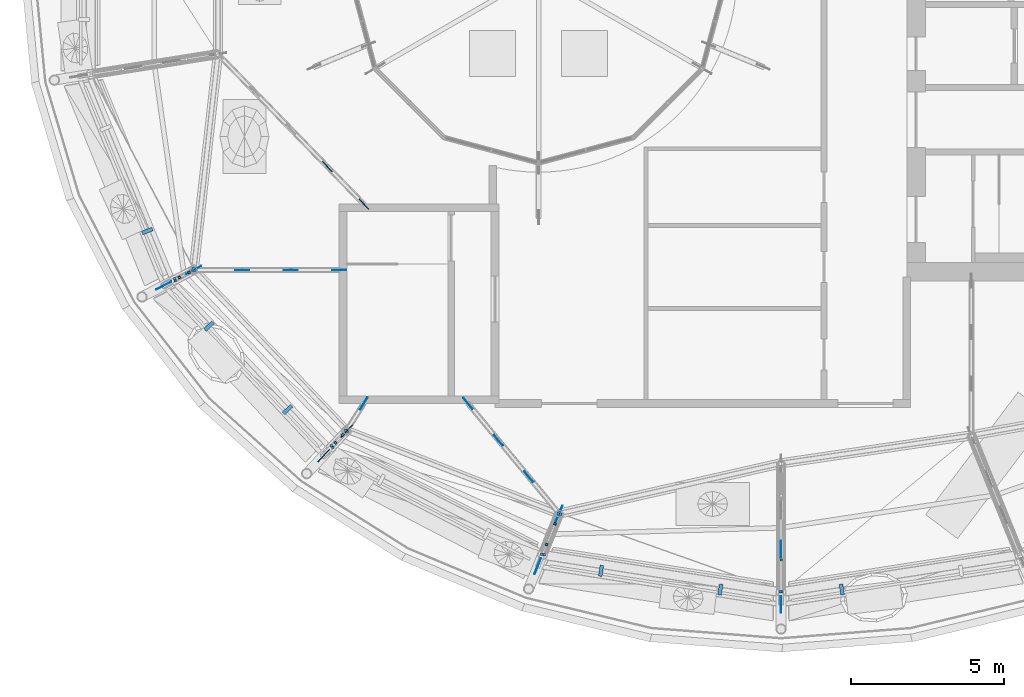
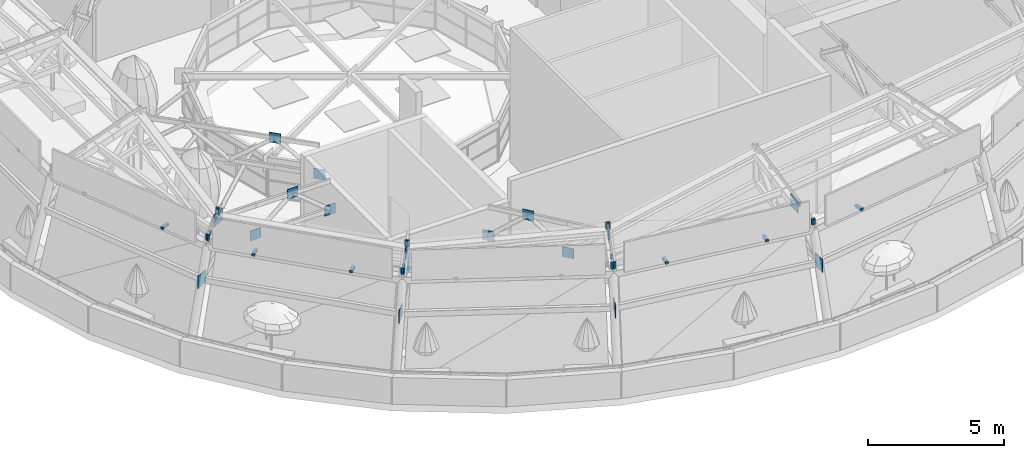
# One storey, part 20 of 40: 44 discrete accessories.
"""IFC4 building model written with IfcOpenShell, lengths in metres."""

import ifcopenshell
import ifcopenshell.guid

model = None  # the IFC model being written
_history = None  # IfcOwnerHistory: only IFC2X3 demands one
_inside = {}  # id of a spatial element -> (the spatial element, [elements in it])
_under = {}  # id of a project, library or spatial element -> (it, [spatial elements below it])
_declared = {}  # id of a project -> (the project, [libraries it declares])
_typed = {}  # id of a type object -> (the type object, [elements of that type])
_made_of = {}  # id of a material, layer set ... -> (it, [elements and type objects made of it])


def new_model(schema):
    """Start an empty IFC model of exactly this schema.

    Asked for "IFC4X3", IfcOpenShell would pick the latest addendum, in which some entities
    have other attributes; the version numbers below select the first issue.
    IFC2X3 requires an IfcOwnerHistory on every rooted entity: one is made here for all.
    """
    global model, _history
    if schema == "IFC4X3":
        model = ifcopenshell.file(schema_version=(4, 3, 0, 0))
    else:
        model = ifcopenshell.file(schema=schema)
    _inside.clear()
    _under.clear()
    _declared.clear()
    _typed.clear()
    _made_of.clear()
    _history = None
    if model.schema == "IFC2X3":
        org = make("IfcOrganization", Name="unknown")
        user = make(
            "IfcPersonAndOrganization",
            ThePerson=make("IfcPerson", FamilyName="unknown"),
            TheOrganization=org,
        )
        app = make(
            "IfcApplication",
            ApplicationDeveloper=org,
            Version="unknown",
            ApplicationFullName="unknown",
            ApplicationIdentifier="unknown",
        )
        _history = make(
            "IfcOwnerHistory",
            OwningUser=user,
            OwningApplication=app,
            ChangeAction="ADDED",
            CreationDate=0,
        )
    return model


def make(cls, **values):
    """One entity of the class cls with the attributes given. An attribute that is None is left unset."""
    return model.create_entity(
        cls, **{name: value for name, value in values.items() if value is not None}
    )


def rooted(cls, **values):
    """An entity with a GlobalId (a new one), such as an element, a storey or a relation."""
    return make(cls, GlobalId=ifcopenshell.guid.new(), OwnerHistory=_history, **values)


def si_unit(unit_type, name, prefix=None):
    """IfcSIUnit, for example si_unit("LENGTHUNIT", "METRE", prefix="MILLI")."""
    return make("IfcSIUnit", UnitType=unit_type, Prefix=prefix, Name=name)


def assignment(units):
    """IfcUnitAssignment: the units of a project."""
    return None if units is None else make("IfcUnitAssignment", Units=units)


def point(xyz):
    """IfcCartesianPoint."""
    return None if xyz is None else make("IfcCartesianPoint", Coordinates=xyz)


def direction(xyz):
    """IfcDirection."""
    return None if xyz is None else make("IfcDirection", DirectionRatios=xyz)


def frame(location, z_axis=None, x_axis=None):
    """IfcAxis2Placement3D, a coordinate frame: its origin and axes. An axis left out is left unset."""
    return make(
        "IfcAxis2Placement3D",
        Location=point(location),
        Axis=direction(z_axis),
        RefDirection=direction(x_axis),
    )


def frame_2d(location, x_axis=None):
    """IfcAxis2Placement2D, a coordinate frame in the plane: its origin and x axis."""
    return make(
        "IfcAxis2Placement2D", Location=point(location), RefDirection=direction(x_axis)
    )


def origin():
    """The frame at (0, 0, 0) with its axes left unset."""
    return frame((0.0, 0.0, 0.0))


def origin_2d():
    """The frame at (0, 0) in the plane with its x axis left unset."""
    return frame_2d((0.0, 0.0))


def place(relative_to, where):
    """IfcLocalPlacement: puts the frame where relative to a parent placement (None: the world)."""
    return make(
        "IfcLocalPlacement", PlacementRelTo=relative_to, RelativePlacement=where
    )


def context(
    kind, dimensions, precision=None, world=None, true_north=None, identifier=None
):
    """IfcGeometricRepresentationContext, for example the 3D "Model" context."""
    return make(
        "IfcGeometricRepresentationContext",
        ContextIdentifier=identifier,
        ContextType=kind,
        CoordinateSpaceDimension=dimensions,
        Precision=precision,
        WorldCoordinateSystem=world,
        TrueNorth=true_north,
    )


def subcontext(parent, identifier, kind, view, scale=None):
    """IfcGeometricRepresentationSubContext, for example "Body" below "Model"."""
    return make(
        "IfcGeometricRepresentationSubContext",
        ContextIdentifier=identifier,
        ContextType=kind,
        ParentContext=parent,
        TargetScale=scale,
        TargetView=view,
    )


def project(units=None, contexts=None):
    """IfcProject with its units and contexts."""
    return rooted(
        "IfcProject",
        Name="project",
        RepresentationContexts=contexts,
        UnitsInContext=assignment(units),
    )


def spatial(cls, under=None, at=None, **own):
    """A site, building, storey or space (cls), placed at a placement, below another one or the project."""
    s = rooted(cls, ObjectPlacement=at, **own)
    if under is not None:
        _under.setdefault(under.id(), (under, []))[1].append(s)
    return s


def profile(cls, at=None, kind="AREA", **sizes):
    """A parametric profile (cls). Its sizes go by their IFC names, for example OverallWidth=200.0."""
    return make(cls, ProfileType=kind, Position=at, **sizes)


def rectangle(**sizes):
    """IfcRectangleProfileDef."""
    return profile("IfcRectangleProfileDef", **sizes)


def extrude(swept, where, along, depth):
    """IfcExtrudedAreaSolid: the profile swept, set in the frame where, extruded along a direction by depth."""
    return make(
        "IfcExtrudedAreaSolid",
        SweptArea=swept,
        Position=where,
        ExtrudedDirection=direction(along),
        Depth=depth,
    )


def shape(context_of_items, identifier, shape_type, items):
    """IfcShapeRepresentation: the items that make up one representation, for example the "Body"."""
    return make(
        "IfcShapeRepresentation",
        ContextOfItems=context_of_items,
        RepresentationIdentifier=identifier,
        RepresentationType=shape_type,
        Items=items,
    )


def material(Name=None, Category=None):
    """IfcMaterial."""
    return make("IfcMaterial", Name=Name, Category=Category)


def made_of(thing, what):
    """Note that an element or type object is made of a material, layer set ...; save() writes the relation."""
    if what is not None:
        _made_of.setdefault(what.id(), (what, []))[1].append(thing)
    return thing


def type_object(cls, material=None, **own):
    """A type object (cls), such as IfcWallType, which elements share."""
    return made_of(rooted(cls, **own), material)


def element(
    cls,
    number,
    at=None,
    inside=None,
    cuts=None,
    type_object=None,
    material=None,
    context=None,
    identifier="Body",
    shape_type=None,
    held_by="IfcProductDefinitionShape",
    body=None,
    shapes=None,
    **own,
):
    """One element of the class cls, such as IfcWall. Its Tag is "e" and its number.

    at: its placement. inside: the storey or other place that contains it. cuts: it is an
    opening in that element (IfcRelVoidsElement). A single representation is given by context,
    identifier, shape_type and body (its items); several are given by shapes. held_by: the class
    of the entity that holds the representations. save() writes the other relations.
    """
    e = rooted(cls, Tag="e%d" % number, ObjectPlacement=at, **own)
    if body is not None:
        shapes = [shape(context, identifier, shape_type, body)]
    if shapes is not None:
        e.Representation = make(held_by, Representations=shapes)
    if inside is not None:
        _inside.setdefault(inside.id(), (inside, []))[1].append(e)
    if cuts is not None:
        rooted(
            "IfcRelVoidsElement", RelatingBuildingElement=cuts, RelatedOpeningElement=e
        )
    if type_object is not None:
        _typed.setdefault(type_object.id(), (type_object, []))[1].append(e)
    return made_of(e, material)


def aggregate(whole, parts):
    """IfcRelAggregates: a whole, such as a stair, and the parts it consists of."""
    return rooted("IfcRelAggregates", RelatingObject=whole, RelatedObjects=parts)


def save(model, path):
    """Write the relations noted so far, then the file.

    IfcRelAggregates (storeys below a building ...), IfcRelContainedInSpatialStructure (elements
    in a storey), IfcRelDefinesByType, IfcRelAssociatesMaterial and IfcRelDeclares: one each for
    every whole, place, type object, material and project.
    """
    for whole, parts in _under.values():
        aggregate(whole, parts)
    for where, things in _inside.values():
        rooted(
            "IfcRelContainedInSpatialStructure",
            RelatedElements=things,
            RelatingStructure=where,
        )
    for kind, things in _typed.values():
        rooted("IfcRelDefinesByType", RelatedObjects=things, RelatingType=kind)
    for what, things in _made_of.values():
        rooted("IfcRelAssociatesMaterial", RelatedObjects=things, RelatingMaterial=what)
    for by, libraries in _declared.values():
        rooted("IfcRelDeclares", RelatingContext=by, RelatedDefinitions=libraries)
    model.write(path)


model = new_model("IFC4")

# Units and contexts
model_context = context("Model", 3, precision=1e-05, world=origin(), true_north=direction((0.0, 1.0)))
body_context = subcontext(model_context, "Body", "Model", "MODEL_VIEW")
ifc_project = project(units=[si_unit("LENGTHUNIT", "METRE"), si_unit("AREAUNIT", "SQUARE_METRE"), si_unit("VOLUMEUNIT", "CUBIC_METRE"), si_unit("PLANEANGLEUNIT", "RADIAN"), si_unit("MASSUNIT", "GRAM", prefix="KILO")], contexts=[model_context])

# Site, building, storey
site_placement = place(None, origin())
site = spatial("IfcSite", under=ifc_project, at=site_placement, CompositionType="ELEMENT")
building_placement = place(site_placement, origin())
building = spatial("IfcBuilding", under=site, at=building_placement, Name="Taillehof Tower", CompositionType="ELEMENT")
storey_placement = place(building_placement, frame((0.0, 0.0, 275.199951171875)))
storey = spatial("IfcBuildingStorey", under=building, at=storey_placement, Name="L77", CompositionType="ELEMENT", Elevation=275.199951171875)

# Discrete accessories
ifc_material_1 = material(Name="Steel S460M", Category="steel")
discrete_accessory_type_1 = type_object("IfcDiscreteAccessoryType", Name="Steel bracket", PredefinedType="BRACKET", material=ifc_material_1)
for number, where, z_axis, x_axis, name in (
    (1, (-19.86474609375, -9.93701171875, 4.45361328125), (0.0, 0.0, 1.0), (1.0, 0.0, 0.0), "Canopy glazing seat"),
    (2, (-19.250244140625, -9.614990234375, 5.24609375), (0.0, 0.0, 1.0), (1.0, 0.0, 0.0), "Canopy glazing seat"),
):
    element("IfcDiscreteAccessory", number, at=place(storey_placement, frame(where, z_axis=z_axis, x_axis=x_axis)), inside=storey, type_object=discrete_accessory_type_1, Name=name, PredefinedType="BRACKET", context=body_context, shape_type="SweptSolid", body=[
        extrude(rectangle(XDim=0.080078125, YDim=0.080078125, at=origin_2d()), origin(), (0.0, 0.0, 1.0), 0.304931640625),
    ])
for number, where, z_axis, x_axis, name in (
    (3, (-19.707763671875, -9.89111328125, 4.64013671875), (0.0, 0.0, 1.0), (0.887170349076, 0.461442056731, 0.0), "Canopy glazing seat"),
    (4, (-19.397216796875, -9.729736328125, 5.0400390625), (0.0, 0.0, 1.0), (0.887170349076, 0.461442056731, 0.0), "Canopy glazing seat"),
):
    element("IfcDiscreteAccessory", number, at=place(storey_placement, frame(where, z_axis=z_axis, x_axis=x_axis)), inside=storey, type_object=discrete_accessory_type_1, Name=name, PredefinedType="BRACKET", context=body_context, shape_type="SweptSolid", body=[
        extrude(rectangle(XDim=0.080078125, YDim=0.080078125, at=origin_2d()), origin(), (0.0, 0.0, 1.0), 0.18798828125),
    ])
for number, where, z_axis, x_axis, name in (
    (5, (-19.8369140625, -9.9951171875, 4.44384765625), (0.0, 0.0, 1.0), (1.0, 0.0, 0.0), "Canopy glazing seat"),
    (6, (-14.762451171875, -15.37939453125, 4.44384765625), (0.0, 0.0, 1.0), (1.0, 0.0, 0.0), "Canopy glazing seat"),
    (7, (-14.290283203125, -14.8720703125, 5.236328125), (0.0, 0.0, 1.0), (1.0, 0.0, 0.0), "Canopy glazing seat"),
    (8, (-19.220458984375, -9.676513671875, 5.23583984375), (0.0, 0.0, 1.0), (1.0, 0.0, 0.0), "Canopy glazing seat"),
):
    element("IfcDiscreteAccessory", number, at=place(storey_placement, frame(where, z_axis=z_axis, x_axis=x_axis)), inside=storey, type_object=discrete_accessory_type_1, Name=name, PredefinedType="BRACKET", context=body_context, shape_type="SweptSolid", body=[
        extrude(rectangle(XDim=0.080078125, YDim=0.080078125, at=origin_2d()), origin(), (0.0, 0.0, 1.0), 0.304931640625),
    ])
for number, where, z_axis, x_axis, name in (
    (9, (-14.62158203125, -15.279052734375, 4.64013671875), (0.0, 0.0, 1.0), (0.681656196062, 0.731672625134, 0.0), "Canopy glazing seat"),
    (10, (-14.38330078125, -15.02294921875, 5.0400390625), (0.0, 0.0, 1.0), (0.681656196062, 0.731672625134, 0.0), "Canopy glazing seat"),
):
    element("IfcDiscreteAccessory", number, at=place(storey_placement, frame(where, z_axis=z_axis, x_axis=x_axis)), inside=storey, type_object=discrete_accessory_type_1, Name=name, PredefinedType="BRACKET", context=body_context, shape_type="SweptSolid", body=[
        extrude(rectangle(XDim=0.080078125, YDim=0.080078125, at=origin_2d()), origin(), (0.0, 0.0, 1.0), 0.18798828125),
    ])
for number, where, z_axis, x_axis, name in (
    (11, (-14.7080078125, -15.418701171875, 4.44287109375), (0.0, 0.0, 1.0), (1.0, 0.0, 0.0), "Canopy glazing seat"),
    (12, (-7.90478515625, -18.911865234375, 4.44287109375), (0.0, 0.0, 1.0), (1.0, 0.0, 0.0), "Canopy glazing seat"),
    (13, (-7.3662109375, -17.579833984375, 5.2353515625), (0.0, 0.0, 1.0), (1.0, 0.0, 0.0), "Canopy glazing seat"),
    (14, (-14.2333984375, -14.912109375, 5.23388671875), (0.0, 0.0, 1.0), (1.0, 0.0, 0.0), "Canopy glazing seat"),
):
    element("IfcDiscreteAccessory", number, at=place(storey_placement, frame(where, z_axis=z_axis, x_axis=x_axis)), inside=storey, type_object=discrete_accessory_type_1, Name=name, PredefinedType="BRACKET", context=body_context, shape_type="SweptSolid", body=[
        extrude(rectangle(XDim=0.080078125, YDim=0.080078125, at=origin_2d()), origin(), (0.0, 0.0, 1.0), 0.304931640625),
    ])
for number, where, z_axis, x_axis, name in (
    (15, (-7.739990234375, -18.595947265625, 4.64013671875), (0.0, 0.0, 1.0), (0.375192321888, 0.926946989637, 0.0), "Canopy glazing seat"),
    (16, (-7.468017578125, -17.924072265625, 5.0400390625), (0.0, 0.0, 1.0), (0.375192321888, 0.926946989637, 0.0), "Canopy glazing seat"),
):
    element("IfcDiscreteAccessory", number, at=place(storey_placement, frame(where, z_axis=z_axis, x_axis=x_axis)), inside=storey, type_object=discrete_accessory_type_1, Name=name, PredefinedType="BRACKET", context=body_context, shape_type="SweptSolid", body=[
        extrude(rectangle(XDim=0.080078125, YDim=0.080078125, at=origin_2d()), origin(), (0.0, 0.0, 1.0), 0.212890625),
    ])
discrete_accessory_1_placement = place(storey_placement, frame((-7.81640625, -18.92919921875, 4.45361328125), z_axis=(0.0, 0.0, 1.0), x_axis=(1.0, 0.0, 0.0)))
element("IfcDiscreteAccessory", 17, at=discrete_accessory_1_placement, inside=storey, type_object=discrete_accessory_type_1, Name="Canopy glazing seat", PredefinedType="BRACKET", context=body_context, shape_type="SweptSolid", body=[
    extrude(rectangle(XDim=0.080078125, YDim=0.080078125, at=origin_2d()), origin(), (0.0, 0.0, 1.0), 0.297607421875),
])
discrete_accessory_2_placement = place(storey_placement, frame((-0.130859375, -20.133544921875, 4.44677734375), z_axis=(0.0, 0.0, 1.0), x_axis=(1.0, 0.0, 0.0)))
element("IfcDiscreteAccessory", 18, at=discrete_accessory_2_placement, inside=storey, type_object=discrete_accessory_type_1, Name="Canopy glazing seat", PredefinedType="BRACKET", context=body_context, shape_type="SweptSolid", body=[
    extrude(rectangle(XDim=0.080078125, YDim=0.080078125, at=origin_2d()), origin(), (0.0, 0.0, 1.0), 0.264404296875),
])
discrete_accessory_3_placement = place(storey_placement, frame((-7.27392578125, -17.601806640625, 5.23974609375), z_axis=(0.0, 0.0, 1.0), x_axis=(1.0, 0.0, 0.0)))
element("IfcDiscreteAccessory", 19, at=discrete_accessory_3_placement, inside=storey, type_object=discrete_accessory_type_1, Name="Canopy glazing seat", PredefinedType="BRACKET", context=body_context, shape_type="SweptSolid", body=[
    extrude(rectangle(XDim=0.080078125, YDim=0.080078125, at=origin_2d()), origin(), (0.0, 0.0, 1.0), 0.302001953125),
])
discrete_accessory_4_placement = place(storey_placement, frame((-0.10009765625, -19.10009765625, 4.64013671875), z_axis=(0.0, 0.0, 1.0), x_axis=(0.0, 1.0, 0.0)))
element("IfcDiscreteAccessory", 20, at=discrete_accessory_4_placement, inside=storey, type_object=discrete_accessory_type_1, Name="Canopy glazing seat", PredefinedType="BRACKET", context=body_context, shape_type="SweptSolid", body=[
    extrude(rectangle(XDim=0.080078125, YDim=0.080078125, at=origin_2d()), origin(), (0.0, 0.0, 1.0), 0.172607421875),
])
discrete_accessory_5_placement = place(storey_placement, frame((-0.072021484375, -20.12890625, 4.443359375), z_axis=(0.0, 0.0, 1.0), x_axis=(1.0, 0.0, 0.0)))
element("IfcDiscreteAccessory", 21, at=discrete_accessory_5_placement, inside=storey, type_object=discrete_accessory_type_1, Name="Canopy glazing seat", PredefinedType="BRACKET", context=body_context, shape_type="SweptSolid", body=[
    extrude(rectangle(XDim=0.080078125, YDim=0.080078125, at=origin_2d()), origin(), (0.0, 0.0, 1.0), 0.264404296875),
])
for number, where, z_axis, x_axis, name in (
    (22, (-20.7509765625, -8.379150390625, 4.429931640625), (0.0, 0.0, 1.0), (-0.927085751017, -0.374849316741, 0.0), "Crown fascia bracket"),
    (23, (-18.743408203125, -11.480712890625, 4.429931640625), (0.0, 0.0, 1.0), (-0.731498903064, -0.681842617336, 0.0), "Crown fascia bracket"),
    (24, (-16.182373046875, -14.1982421875, 4.429931640625), (0.0, 0.0, 1.0), (-0.731498903064, -0.681842617336, 0.0), "Crown fascia bracket"),
    (25, (-5.966552734375, -19.453857421875, 4.429931640625), (0.0, 0.0, 1.0), (-0.15680163243, -0.987630117031, 0.0), "Crown fascia bracket"),
    (26, (-2.07861328125, -20.062744140625, 4.429931640625), (0.0, 0.0, 1.0), (-0.15680163243, -0.987630117031, 0.0), "Crown fascia bracket"),
    (27, (1.87841796875, -20.062744140625, 4.429931640625), (0.0, 0.0, 1.0), (0.15680163243, -0.987630117031, 0.0), "Crown fascia bracket"),
):
    element("IfcDiscreteAccessory", number, at=place(storey_placement, frame(where, z_axis=z_axis, x_axis=x_axis)), inside=storey, type_object=discrete_accessory_type_1, Name=name, PredefinedType="BRACKET", context=body_context, shape_type="SweptSolid", body=[
        extrude(rectangle(XDim=0.360107421875, YDim=0.1201171875, at=origin_2d()), origin(), (0.0, 0.0, 1.0), 0.10009765625),
    ])
ifc_material_2 = material(Name="Steel S460M", Category="steel")
discrete_accessory_type_2 = type_object("IfcDiscreteAccessoryType", Name="Steel gusset plate", PredefinedType="BRACKET", material=ifc_material_2)
for number, where, z_axis, x_axis, name in (
    (28, (-20.219970703125, -10.159912109375, 2.72509765625), (0.0, 0.0, 1.0), (0.887310442252, 0.461172613097, 0.0), "Gusset plate 313"),
    (29, (-19.239990234375, -9.64990234375, 4.8251953125), (0.0, 0.0, 1.0), (0.887310442252, 0.461172613097, 0.0), "Gusset plate 317"),
):
    element("IfcDiscreteAccessory", number, at=place(storey_placement, frame(where, z_axis=z_axis, x_axis=x_axis)), inside=storey, type_object=discrete_accessory_type_2, Name=name, PredefinedType="BRACKET", context=body_context, shape_type="SweptSolid", body=[
        extrude(rectangle(XDim=0.550048828125, YDim=0.02490234375, at=origin_2d()), origin(), (0.0, 0.0, 1.0), 0.550048828125),
    ])
for number, where, z_axis, x_axis, name in (
    (30, (-17.659912109375, -9.64990234375, 3.5751953125), (0.0, 0.0, 1.0), (1.0, 0.0, 0.0), "Gusset plate 323"),
    (31, (-16.080078125, -9.64990234375, 4.875), (0.0, 0.0, 1.0), (1.0, 0.0, 0.0), "Gusset plate 327"),
):
    element("IfcDiscreteAccessory", number, at=place(storey_placement, frame(where, z_axis=z_axis, x_axis=x_axis)), inside=storey, type_object=discrete_accessory_type_2, Name=name, PredefinedType="BRACKET", context=body_context, shape_type="SweptSolid", body=[
        extrude(rectangle(XDim=0.449951171875, YDim=0.02490234375, at=origin_2d()), origin(), (0.0, 0.0, 1.0), 0.449951171875),
    ])
discrete_accessory_6_placement = place(storey_placement, frame((-15.010009765625, -15.699951171875, 2.72509765625), z_axis=(0.0, 0.0, 1.0), x_axis=(0.681843894041, 0.731497713023, 0.0)))
element("IfcDiscreteAccessory", 32, at=discrete_accessory_6_placement, inside=storey, type_object=discrete_accessory_type_2, Name="Gusset plate 334", PredefinedType="BRACKET", context=body_context, shape_type="SweptSolid", body=[
    extrude(rectangle(XDim=0.550048828125, YDim=0.02490234375, at=origin_2d()), origin(), (0.0, 0.0, 1.0), 0.550048828125),
])
for number, where, z_axis, x_axis, name in (
    (33, (-14.889892578125, -6.280029296875, 4.875), (0.0, 0.0, 1.0), (0.697086270202, -0.716987260623, 0.0), "Gusset plate 336"),
    (34, (-14.5, -9.64990234375, 3.5751953125), (0.0, 0.0, 1.0), (1.0, 0.0, 0.0), "Gusset plate 338"),
):
    element("IfcDiscreteAccessory", number, at=place(storey_placement, frame(where, z_axis=z_axis, x_axis=x_axis)), inside=storey, type_object=discrete_accessory_type_2, Name=name, PredefinedType="BRACKET", context=body_context, shape_type="SweptSolid", body=[
        extrude(rectangle(XDim=0.449951171875, YDim=0.02490234375, at=origin_2d()), origin(), (0.0, 0.0, 1.0), 0.449951171875),
    ])
discrete_accessory_7_placement = place(storey_placement, frame((-14.260009765625, -14.89990234375, 4.8251953125), z_axis=(0.0, 0.0, 1.0), x_axis=(0.681843894041, 0.731497713023, 0.0)))
element("IfcDiscreteAccessory", 35, at=discrete_accessory_7_placement, inside=storey, type_object=discrete_accessory_type_2, Name="Gusset plate 340", PredefinedType="BRACKET", context=body_context, shape_type="SweptSolid", body=[
    extrude(rectangle(XDim=0.550048828125, YDim=0.02490234375, at=origin_2d()), origin(), (0.0, 0.0, 1.0), 0.550048828125),
])
for number, where, z_axis, x_axis, name in (
    (36, (-13.699951171875, -14.0, 3.5751953125), (0.0, 0.0, 1.0), (0.532823107134, 0.846226646061, 0.0), "Gusset plate 343"),
    (37, (-13.699951171875, -7.5, 3.5751953125), (0.0, 0.0, 1.0), (0.69708376744, -0.716989693909, 0.0), "Gusset plate 344"),
    (38, (-10.300048828125, -14.0, 3.5751953125), (0.0, 0.0, 1.0), (-0.637407852017, 0.770526592784, 0.0), "Gusset plate 351"),
    (39, (-9.31005859375, -15.199951171875, 4.875), (0.0, 0.0, 1.0), (-0.637403817541, 0.770529930233, 0.0), "Gusset plate 353"),
    (40, (-8.320068359375, -16.389892578125, 3.5751953125), (0.0, 0.0, 1.0), (-0.637403817541, 0.770529930233, 0.0), "Gusset plate 355"),
):
    element("IfcDiscreteAccessory", number, at=place(storey_placement, frame(where, z_axis=z_axis, x_axis=x_axis)), inside=storey, type_object=discrete_accessory_type_2, Name=name, PredefinedType="BRACKET", context=body_context, shape_type="SweptSolid", body=[
        extrude(rectangle(XDim=0.449951171875, YDim=0.02490234375, at=origin_2d()), origin(), (0.0, 0.0, 1.0), 0.449951171875),
    ])
for number, where, z_axis, x_axis, name in (
    (41, (-8.030029296875, -19.300048828125, 2.72509765625), (0.0, 0.0, 1.0), (0.374839608301, 0.927089676379, 0.0), "Gusset plate 357"),
    (42, (-7.330078125, -17.590087890625, 4.8251953125), (0.0, 0.0, 1.0), (0.374839608301, 0.927089676379, 0.0), "Gusset plate 365"),
    (43, (-0.10009765625, -20.550048828125, 2.72509765625), (0.0, 0.0, 1.0), (0.0, 1.0, 0.0), "Gusset plate 374"),
    (44, (-0.10009765625, -18.75, 4.294921875), (0.0, 0.0, 1.0), (0.0, 1.0, 0.0), "Gusset plate 375"),
):
    element("IfcDiscreteAccessory", number, at=place(storey_placement, frame(where, z_axis=z_axis, x_axis=x_axis)), inside=storey, type_object=discrete_accessory_type_2, Name=name, PredefinedType="BRACKET", context=body_context, shape_type="SweptSolid", body=[
        extrude(rectangle(XDim=0.550048828125, YDim=0.02490234375, at=origin_2d()), origin(), (0.0, 0.0, 1.0), 0.550048828125),
    ])

save(model, "model.ifc")
